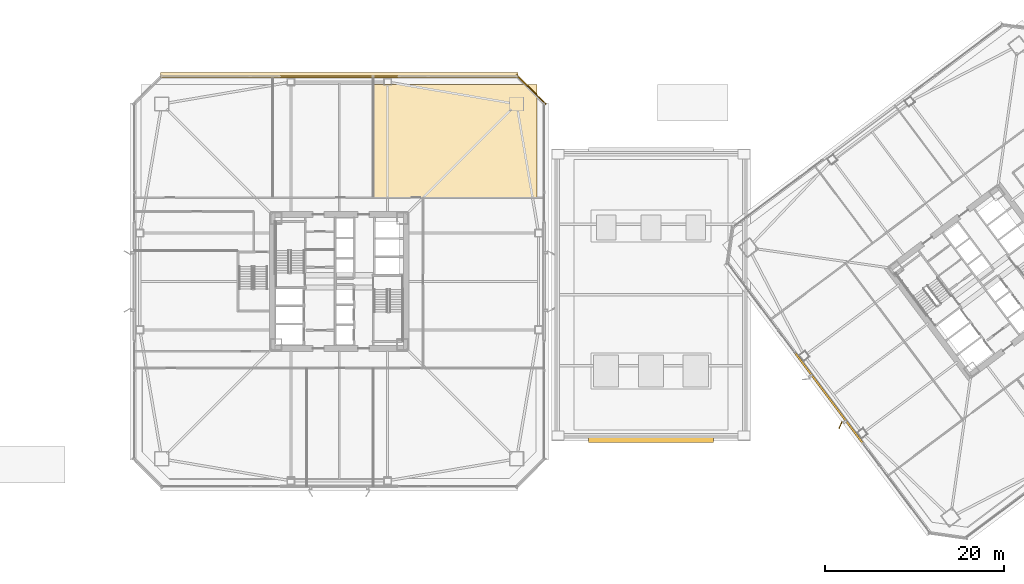
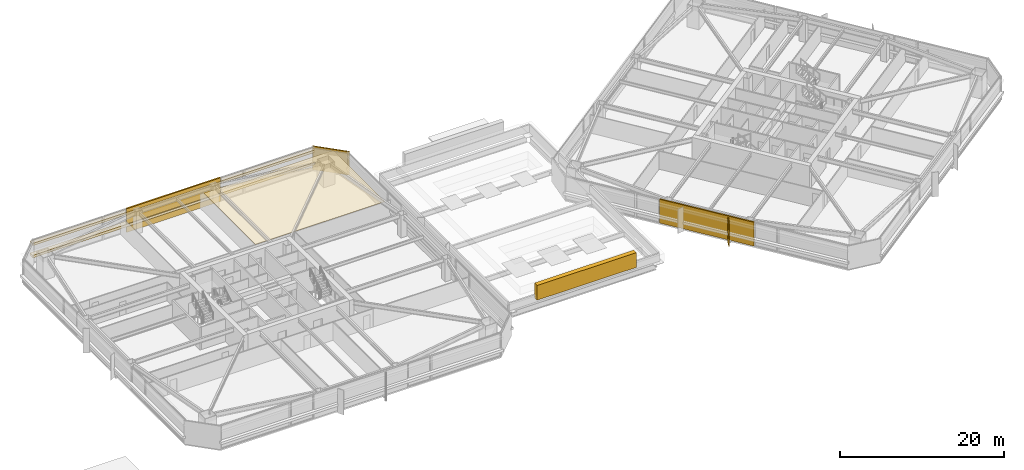
# One storey, part 57 of 62: 7 coverings, 1 shading device.
"""IFC4 building model written with IfcOpenShell, lengths in metres."""

from ifc_helpers import new_model, si_unit, direction, frame, origin, origin_2d, place, context, subcontext, project, spatial, polyline, rectangle, outline, extrude, material, layer, layer_set, type_object, element, save


model = new_model("IFC4")

# Units and contexts
model_context = context("Model", 3, precision=1e-05, world=origin(), true_north=direction((0.0, 1.0)))
body_context = subcontext(model_context, "Body", "Model", "MODEL_VIEW")
ifc_project = project(units=[si_unit("LENGTHUNIT", "METRE"), si_unit("AREAUNIT", "SQUARE_METRE"), si_unit("VOLUMEUNIT", "CUBIC_METRE"), si_unit("PLANEANGLEUNIT", "RADIAN"), si_unit("MASSUNIT", "GRAM", prefix="KILO")], contexts=[model_context])

# Site, building, storey
site_placement = place(None, origin())
site = spatial("IfcSite", under=ifc_project, at=site_placement, CompositionType="ELEMENT")
building_placement = place(site_placement, origin())
building = spatial("IfcBuilding", under=site, at=building_placement, Name="Tashvorn Skyway Center", CompositionType="ELEMENT")
storey_placement = place(building_placement, frame((0.0, 0.0, 28.14990234375)))
storey = spatial("IfcBuildingStorey", under=building, at=storey_placement, Name="L06", CompositionType="ELEMENT", Elevation=28.14990234375)

# Coverings
ifc_material_1 = material(Name="Precast concrete C40/50", Category="concrete")
ifc_layer_1 = layer(ifc_material_1, 0.199951171875)
ifc_layer_set_1 = layer_set([ifc_layer_1], Name="Precast concrete C40/50")
covering_type_1 = type_object("IfcCoveringType", Name="COV-BRACE-CLAD", PredefinedType="CLADDING", material=ifc_layer_set_1)
covering_1_placement = place(storey_placement, frame((42.0, 54.8798828125, 0.0), z_axis=(0.0, 0.0, 1.0), x_axis=(1.0, 0.0, 0.0)))
element("IfcCovering", 1, at=covering_1_placement, inside=storey, type_object=covering_type_1, Name="Tower 1 L06 North Unitised Curtain Wall Mega-Brace Cladding Band 1", PredefinedType="CLADDING", context=body_context, shape_type="SweptSolid", body=[
    extrude(rectangle(XDim=13.25341796875, YDim=0.199951171875, at=origin_2d()), origin(), (0.0, 0.0, 1.0), 3.550048828125),
])
covering_2_placement = place(storey_placement, frame((96.656005859375, 18.991943359375, 0.0), z_axis=(0.0, 0.0, 1.0), x_axis=(-0.600000004945, 0.799999996291, 0.0)))
element("IfcCovering", 2, at=covering_2_placement, inside=storey, type_object=covering_type_1, Name="Tower 2 L06 West Unitised Curtain Wall Mega-Brace Cladding Band 1", PredefinedType="CLADDING", context=body_context, shape_type="SweptSolid", body=[
    extrude(rectangle(XDim=12.586669921875, YDim=0.199951171875, at=origin_2d()), origin(), (0.0, 0.0, 1.0), 3.550048828125),
])
ifc_material_2 = material(Name="Mineral-fibre acoustic ceiling tile on suspended grid")
ifc_layer_2 = layer(ifc_material_2, 0.02001953125)
ifc_layer_set_2 = layer_set([ifc_layer_2], Name="Mineral-fibre acoustic ceiling tile on suspended grid")
covering_type_2 = type_object("IfcCoveringType", Name="COV-CEIL-20", PredefinedType="CEILING", material=ifc_layer_set_2)
covering_3_placement = place(storey_placement, frame((0.0, 0.0, 2.68310546875)))
element("IfcCovering", 3, at=covering_3_placement, inside=storey, type_object=covering_type_2, Name="Tower 1 L06 Catering Pantry Acoustic Ceiling", PredefinedType="CEILING", context=body_context, shape_type="SweptSolid", body=[
    extrude(outline(polyline([(45.800048828125, 41.35009765625), (64.10009765625, 41.35009765625), (64.10009765625, 54.0), (45.800048828125, 54.0), (45.800048828125, 41.35009765625)])), origin(), (0.0, 0.0, 1.0), 0.02001953125),
])
ifc_material_3 = material(Name="Perforated ceramic-coated bronze aluminium solar screen", Category="aluminium")
ifc_layer_3 = layer(ifc_material_3, 0.85009765625)
ifc_layer_set_3 = layer_set([ifc_layer_3], Name="Perforated ceramic-coated bronze aluminium solar screen")
covering_type_3 = type_object("IfcCoveringType", Name="COV-SOLAR-BAND", PredefinedType="CLADDING", material=ifc_layer_set_3)
for number, where, z_axis, x_axis, name in (
    (4, (42.0, 55.02001953125, 0.919921875), (0.0, 0.0, 1.0), (1.0, 0.0, 0.0), "L06 Perforated Ceramic-Metal Solar Screen Louvre Band North 1"),
    (5, (42.0, 55.02001953125, 2.72021484375), (0.0, 0.0, 1.0), (1.0, 0.0, 0.0), "L06 Perforated Ceramic-Metal Solar Screen Louvre Band North 2"),
):
    element("IfcCovering", number, at=place(storey_placement, frame(where, z_axis=z_axis, x_axis=x_axis)), inside=storey, type_object=covering_type_3, Name=name, PredefinedType="CLADDING", context=body_context, shape_type="SweptSolid", body=[
        extrude(rectangle(XDim=39.8798828125, YDim=0.639892578125, at=origin_2d()), origin(), (0.0, 0.0, 1.0), 0.360107421875),
    ])
ifc_layer_4 = layer(ifc_material_1, 0.35009765625)
ifc_layer_set_4 = layer_set([ifc_layer_4], Name="Precast concrete C40/50")
covering_type_4 = type_object("IfcCoveringType", Name="COV-STONE-TRIM", PredefinedType="CLADDING", material=ifc_layer_set_4)
covering_4_placement = place(storey_placement, frame((76.800048828125, 14.35009765625, 2.55029296875), z_axis=(0.0, 0.0, 1.0), x_axis=(1.0, 0.0, 0.0)))
element("IfcCovering", 6, at=covering_4_placement, inside=storey, type_object=covering_type_4, Name="Station Concourse Vault Limestone Pediment S", PredefinedType="CLADDING", context=body_context, shape_type="SweptSolid", body=[
    extrude(rectangle(XDim=14.0, YDim=0.64990234375, at=origin_2d()), origin(), (0.0, 0.0, 1.0), 2.199951171875),
])
covering_5_placement = place(storey_placement, frame((63.419921875, 53.419921875, 0.02001953125), z_axis=(0.0, 0.0, 1.0), x_axis=(0.707106781187, -0.707106781187, 0.0)))
element("IfcCovering", 7, at=covering_5_placement, inside=storey, type_object=covering_type_4, Name="Tower 1 L06 NE Mojave Limestone Corner Quoin", PredefinedType="CLADDING", context=body_context, shape_type="SweptSolid", body=[
    extrude(rectangle(XDim=4.685546875, YDim=0.139892578125, at=origin_2d()), origin(), (0.0, 0.0, 1.0), 3.510009765625),
])

# Shading device
ifc_layer_5 = layer(ifc_material_3, 0.06005859375)
ifc_layer_set_5 = layer_set([ifc_layer_5], Name="Perforated ceramic-coated bronze aluminium solar screen")
shading_device_type = type_object("IfcShadingDeviceType", Name="SHD-SOLAR-850", PredefinedType="USERDEFINED", material=ifc_layer_set_5)
shading_device_placement = place(storey_placement, frame((97.9599609375, 15.969970703125, -0.099853515625), z_axis=(0.0, 0.0, 1.0), x_axis=(-0.919615244699, 0.392820317343, 0.0)))
element("IfcShadingDevice", 8, at=shading_device_placement, inside=storey, type_object=shading_device_type, Name="Tower 2 L06 Perforated Ceramic-Metal Solar Screen W1", ObjectType="SCREEN", PredefinedType="USERDEFINED", context=body_context, shape_type="SweptSolid", body=[
    extrude(rectangle(XDim=0.080078125, YDim=0.85009765625, at=origin_2d()), origin(), (0.0, 0.0, 1.0), 3.64990234375),
])

save(model, "model.ifc")
